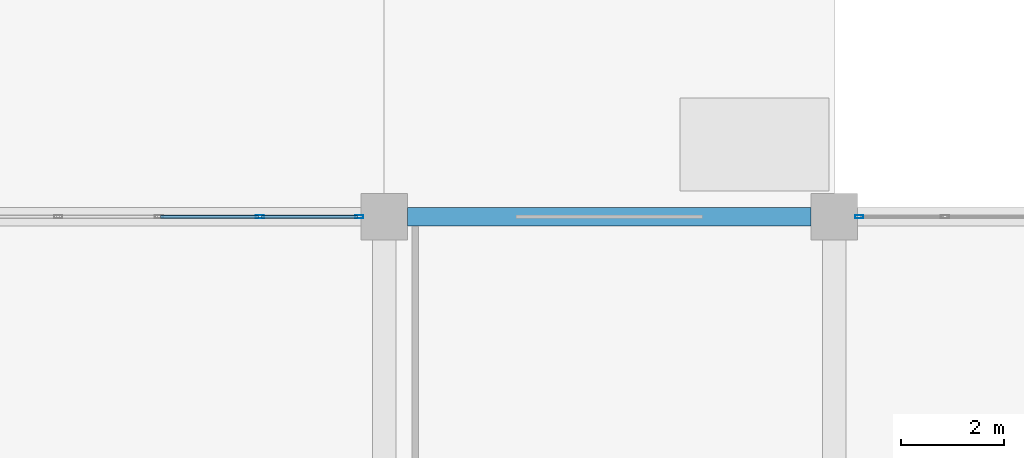
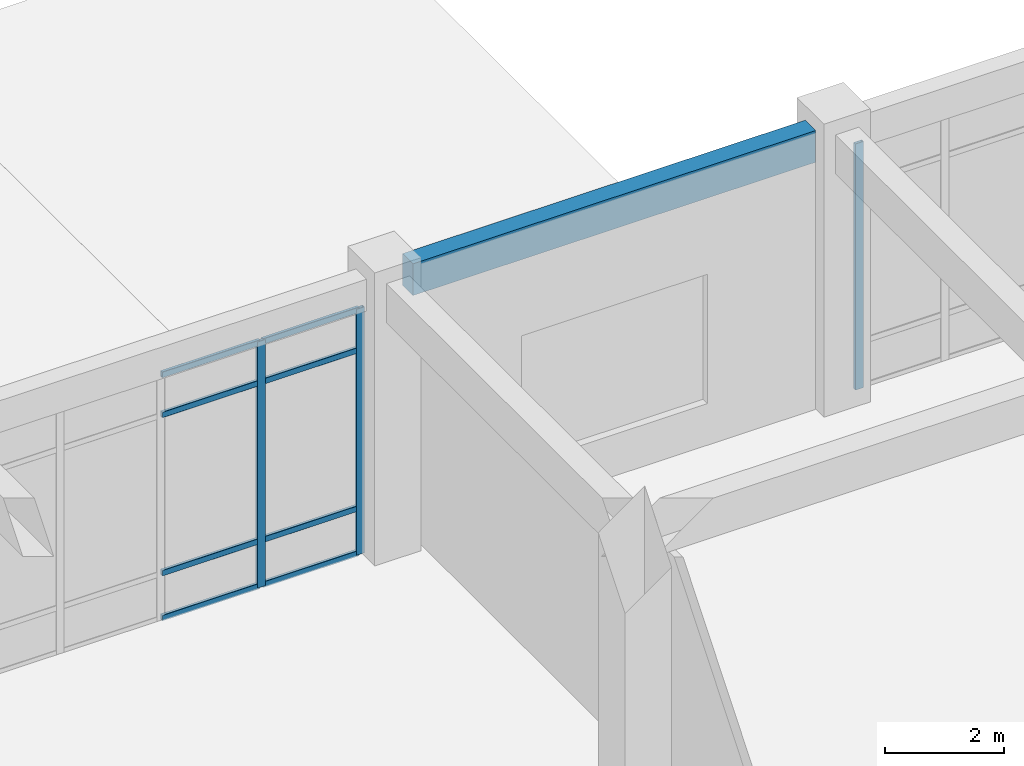
# One storey, part 36 of 82: 11 members, 1 beam, 2 elements without a shape of their own.
"""IFC4 building model written with IfcOpenShell, lengths in metres."""

from ifc_helpers import new_model, si_unit, derived_unit, direction, frame, origin, origin_2d, place, context, subcontext, project, spatial, rectangle, hollow_rectangle, extrude, material, layer, layer_set, material_profile, profile_set, type_object, element, aggregate, save


model = new_model("IFC4")

# Units and contexts
model_context = context("Model", 3, precision=1e-05, world=origin(), true_north=direction((0.0, 1.0)))
body_context = subcontext(model_context, "Body", "Model", "MODEL_VIEW")
ifc_project = project(units=[si_unit("LENGTHUNIT", "METRE"), si_unit("AREAUNIT", "SQUARE_METRE"), si_unit("VOLUMEUNIT", "CUBIC_METRE"), si_unit("PLANEANGLEUNIT", "RADIAN"), si_unit("MASSUNIT", "GRAM", prefix="KILO"), derived_unit("THERMALTRANSMITTANCEUNIT", [(si_unit("MASSUNIT", "GRAM", prefix="KILO"), 1), (si_unit("TIMEUNIT", "SECOND"), -3), (si_unit("THERMODYNAMICTEMPERATUREUNIT", "KELVIN"), -1)])], contexts=[model_context])

# Site, building, storey
site_placement = place(None, origin())
site = spatial("IfcSite", under=ifc_project, at=site_placement, CompositionType="ELEMENT")
building_placement = place(site_placement, origin())
building = spatial("IfcBuilding", under=site, at=building_placement, Name="Qinzheling Arcade Emporium", CompositionType="ELEMENT")
storey_placement = place(building_placement, origin())
storey = spatial("IfcBuildingStorey", under=building, at=storey_placement, Name="L01", CompositionType="ELEMENT", Elevation=0.0)

# Curtain wall, members
ifc_material_1 = material(Name="Anodised aluminium and solar-control double glazing", Category="aluminium")
ifc_layer = layer(ifc_material_1, 0.159912109375, Name="Anodised aluminium and solar-control double glazing", Category="aluminium")
ifc_layer_set = layer_set([ifc_layer], Name="Anodised aluminium and solar-control double glazing")
curtain_wall_type = type_object("IfcCurtainWallType", Name="Food Hall Loggia Curtain Wall", PredefinedType="NOTDEFINED", material=ifc_layer_set)
curtain_wall_1_placement = place(storey_placement, origin())
curtain_wall_1 = element("IfcCurtainWall", 1, at=curtain_wall_1_placement, inside=storey, type_object=curtain_wall_type, Name="Curtain Wall CW-L01-047", PredefinedType="NOTDEFINED")
ifc_material_2 = material(Name="Anodised aluminium 6063-T6", Category="aluminium")
ifc_material_profile_1 = material_profile(ifc_material_2, hollow_rectangle(XDim=0.06005859375, YDim=0.159912109375, WallThickness=0.00390625, InnerFilletRadius=0.00390625, OuterFilletRadius=0.008056640625, at=origin_2d()), Name="RHS 160x60x4", Category="aluminium")
ifc_profile_set_1 = profile_set([ifc_material_profile_1], Name="Anodised aluminium 6063-T6")
member_type_1 = type_object("IfcMemberType", Name="Curtain Wall Mullion RHS160x60", PredefinedType="MULLION", material=ifc_profile_set_1)
member_1_placement = place(storey_placement, frame((145.4990234375, 33.60009765625, 0.0), z_axis=(0.0, 0.0, 1.0), x_axis=(0.0, 1.0, 0.0)))
member_1 = element("IfcMember", 2, at=member_1_placement, type_object=member_type_1, Name="CW04 mullion 4", PredefinedType="MULLION", context=body_context, shape_type="SweptSolid", body=[
    extrude(hollow_rectangle(XDim=0.06005859375, YDim=0.159912109375, WallThickness=0.00390625, InnerFilletRadius=0.00390625, OuterFilletRadius=0.008056640625, at=origin_2d()), origin(), (0.0, 0.0, 1.0), 5.0400390625),
])
member_2_placement = place(storey_placement, frame((147.41796875, 33.60009765625, 0.0), z_axis=(0.0, 0.0, 1.0), x_axis=(0.0, 1.0, 0.0)))
member_2 = element("IfcMember", 3, at=member_2_placement, type_object=member_type_1, Name="CW04 mullion 5", PredefinedType="MULLION", context=body_context, shape_type="SweptSolid", body=[
    extrude(hollow_rectangle(XDim=0.06005859375, YDim=0.159912109375, WallThickness=0.00390625, InnerFilletRadius=0.00390625, OuterFilletRadius=0.008056640625, at=origin_2d()), origin(), (0.0, 0.0, 1.0), 5.0400390625),
])

# Curtain wall, member
curtain_wall_2_placement = place(storey_placement, origin())
curtain_wall_2 = element("IfcCurtainWall", 4, at=curtain_wall_2_placement, inside=storey, type_object=curtain_wall_type, Name="Curtain Wall CW-L01-048", PredefinedType="NOTDEFINED")
member_3_placement = place(storey_placement, frame((157.08203125, 33.60009765625, 0.0), z_axis=(0.0, 0.0, 1.0), x_axis=(0.0, 1.0, 0.0)))
member_3 = element("IfcMember", 5, at=member_3_placement, type_object=member_type_1, Name="CW04 mullion 1", PredefinedType="MULLION", context=body_context, shape_type="SweptSolid", body=[
    extrude(hollow_rectangle(XDim=0.06005859375, YDim=0.159912109375, WallThickness=0.00390625, InnerFilletRadius=0.00390625, OuterFilletRadius=0.008056640625, at=origin_2d()), origin(), (0.0, 0.0, 1.0), 5.0400390625),
])
aggregate(curtain_wall_2, [member_3])

# Member
ifc_material_profile_2 = material_profile(ifc_material_2, hollow_rectangle(XDim=0.06005859375, YDim=0.1201171875, WallThickness=0.00390625, InnerFilletRadius=0.00390625, OuterFilletRadius=0.008056640625, at=origin_2d()), Name="RHS 120x60x4", Category="aluminium")
ifc_profile_set_2 = profile_set([ifc_material_profile_2], Name="Anodised aluminium 6063-T6")
member_type_2 = type_object("IfcMemberType", Name="Curtain Wall Transom RHS120x60", PredefinedType="USERDEFINED", material=ifc_profile_set_2)
member_4_placement = place(storey_placement, frame((143.580078125, 33.60009765625, 0.030029296875), z_axis=(1.0, 0.0, 0.0), x_axis=(0.0, 1.0, 0.0)))
member_4 = element("IfcMember", 6, at=member_4_placement, type_object=member_type_2, Name="CW04 transom 3.1", ObjectType="TRANSOM", PredefinedType="USERDEFINED", context=body_context, shape_type="SweptSolid", body=[
    extrude(hollow_rectangle(XDim=0.06005859375, YDim=0.1201171875, WallThickness=0.00390625, InnerFilletRadius=0.00390625, OuterFilletRadius=0.008056640625, at=origin_2d()), origin(), (0.0, 0.0, 1.0), 1.888916015625),
])

member_5_placement = place(storey_placement, frame((143.580078125, 33.60009765625, 0.949951171875), z_axis=(1.0, 0.0, 0.0), x_axis=(0.0, 1.0, 0.0)))
member_5 = element("IfcMember", 7, at=member_5_placement, type_object=member_type_2, Name="CW04 transom 3.2", ObjectType="TRANSOM", PredefinedType="USERDEFINED", context=body_context, shape_type="SweptSolid", body=[
    extrude(hollow_rectangle(XDim=0.06005859375, YDim=0.1201171875, WallThickness=0.00390625, InnerFilletRadius=0.00390625, OuterFilletRadius=0.008056640625, at=origin_2d()), origin(), (0.0, 0.0, 1.0), 1.888916015625),
])

member_6_placement = place(storey_placement, frame((143.580078125, 33.60009765625, 4.18994140625), z_axis=(1.0, 0.0, 0.0), x_axis=(0.0, 1.0, 0.0)))
member_6 = element("IfcMember", 8, at=member_6_placement, type_object=member_type_2, Name="CW04 transom 3.3", ObjectType="TRANSOM", PredefinedType="USERDEFINED", context=body_context, shape_type="SweptSolid", body=[
    extrude(hollow_rectangle(XDim=0.06005859375, YDim=0.1201171875, WallThickness=0.00390625, InnerFilletRadius=0.00390625, OuterFilletRadius=0.008056640625, at=origin_2d()), origin(), (0.0, 0.0, 1.0), 1.888916015625),
])

member_7_placement = place(storey_placement, frame((143.580078125, 33.60009765625, 5.010009765625), z_axis=(1.0, 0.0, 0.0), x_axis=(0.0, 1.0, 0.0)))
member_7 = element("IfcMember", 9, at=member_7_placement, type_object=member_type_2, Name="CW04 transom 3.4", ObjectType="TRANSOM", PredefinedType="USERDEFINED", context=body_context, shape_type="SweptSolid", body=[
    extrude(hollow_rectangle(XDim=0.06005859375, YDim=0.1201171875, WallThickness=0.00390625, InnerFilletRadius=0.00390625, OuterFilletRadius=0.008056640625, at=origin_2d()), origin(), (0.0, 0.0, 1.0), 1.888916015625),
])

member_8_placement = place(storey_placement, frame((145.529052734375, 33.60009765625, 0.030029296875), z_axis=(1.0, 0.0, 0.0), x_axis=(0.0, 1.0, 0.0)))
member_8 = element("IfcMember", 10, at=member_8_placement, type_object=member_type_2, Name="CW04 transom 4.1", ObjectType="TRANSOM", PredefinedType="USERDEFINED", context=body_context, shape_type="SweptSolid", body=[
    extrude(hollow_rectangle(XDim=0.06005859375, YDim=0.1201171875, WallThickness=0.00390625, InnerFilletRadius=0.00390625, OuterFilletRadius=0.008056640625, at=origin_2d()), origin(), (0.0, 0.0, 1.0), 1.85888671875),
])

member_9_placement = place(storey_placement, frame((145.529052734375, 33.60009765625, 0.949951171875), z_axis=(1.0, 0.0, 0.0), x_axis=(0.0, 1.0, 0.0)))
member_9 = element("IfcMember", 11, at=member_9_placement, type_object=member_type_2, Name="CW04 transom 4.2", ObjectType="TRANSOM", PredefinedType="USERDEFINED", context=body_context, shape_type="SweptSolid", body=[
    extrude(hollow_rectangle(XDim=0.06005859375, YDim=0.1201171875, WallThickness=0.00390625, InnerFilletRadius=0.00390625, OuterFilletRadius=0.008056640625, at=origin_2d()), origin(), (0.0, 0.0, 1.0), 1.85888671875),
])

member_10_placement = place(storey_placement, frame((145.529052734375, 33.60009765625, 4.18994140625), z_axis=(1.0, 0.0, 0.0), x_axis=(0.0, 1.0, 0.0)))
member_10 = element("IfcMember", 12, at=member_10_placement, type_object=member_type_2, Name="CW04 transom 4.3", ObjectType="TRANSOM", PredefinedType="USERDEFINED", context=body_context, shape_type="SweptSolid", body=[
    extrude(hollow_rectangle(XDim=0.06005859375, YDim=0.1201171875, WallThickness=0.00390625, InnerFilletRadius=0.00390625, OuterFilletRadius=0.008056640625, at=origin_2d()), origin(), (0.0, 0.0, 1.0), 1.85888671875),
])

member_11_placement = place(storey_placement, frame((145.529052734375, 33.60009765625, 5.010009765625), z_axis=(1.0, 0.0, 0.0), x_axis=(0.0, 1.0, 0.0)))
member_11 = element("IfcMember", 13, at=member_11_placement, type_object=member_type_2, Name="CW04 transom 4.4", ObjectType="TRANSOM", PredefinedType="USERDEFINED", context=body_context, shape_type="SweptSolid", body=[
    extrude(hollow_rectangle(XDim=0.06005859375, YDim=0.1201171875, WallThickness=0.00390625, InnerFilletRadius=0.00390625, OuterFilletRadius=0.008056640625, at=origin_2d()), origin(), (0.0, 0.0, 1.0), 1.85888671875),
])

aggregate(curtain_wall_1, [member_1, member_2, member_4, member_5, member_6, member_7, member_8, member_9, member_10, member_11])

# Beam
ifc_material_3 = material(Name="Concrete C40", Category="concrete")
ifc_material_profile_3 = material_profile(ifc_material_3, rectangle(XDim=0.35009765625, YDim=0.64990234375, at=origin_2d()), Name="RC 350x650", Category="concrete")
ifc_profile_set_3 = profile_set([ifc_material_profile_3], Name="Concrete C40")
beam_type = type_object("IfcBeamType", Name="RC Spandrel Edge Beam 350x650 C40", PredefinedType="SPANDREL", material=ifc_profile_set_3)
beam_placement = place(storey_placement, frame((148.35009765625, 33.60009765625, 5.3798828125), z_axis=(1.0, 0.0, 0.0), x_axis=(0.0, 1.0, 0.0)))
element("IfcBeam", 14, at=beam_placement, inside=storey, type_object=beam_type, Name="Beam BM-L01-X-E-18", PredefinedType="SPANDREL", context=body_context, shape_type="SweptSolid", body=[
    extrude(rectangle(XDim=0.35009765625, YDim=0.64990234375, at=origin_2d()), origin(), (0.0, 0.0, 1.0), 7.7998046875),
])

save(model, "model.ifc")
